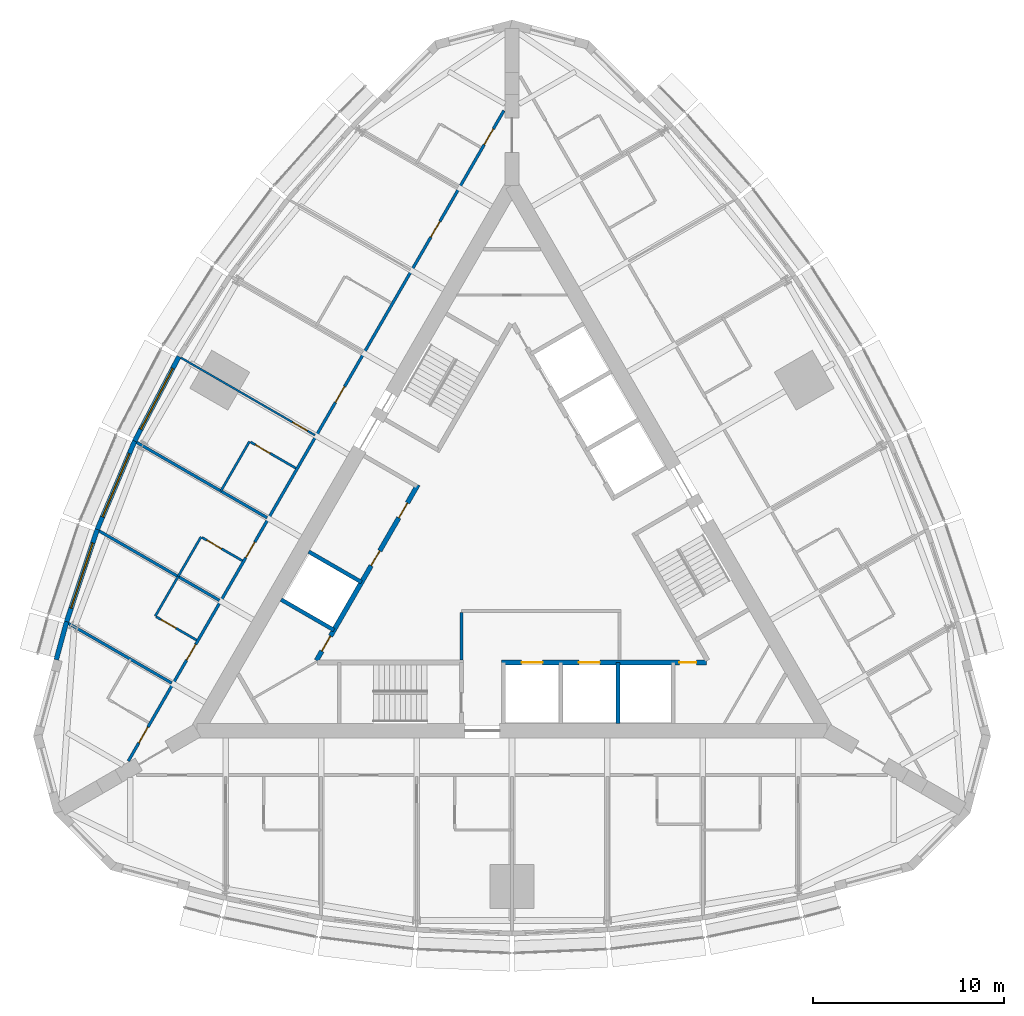
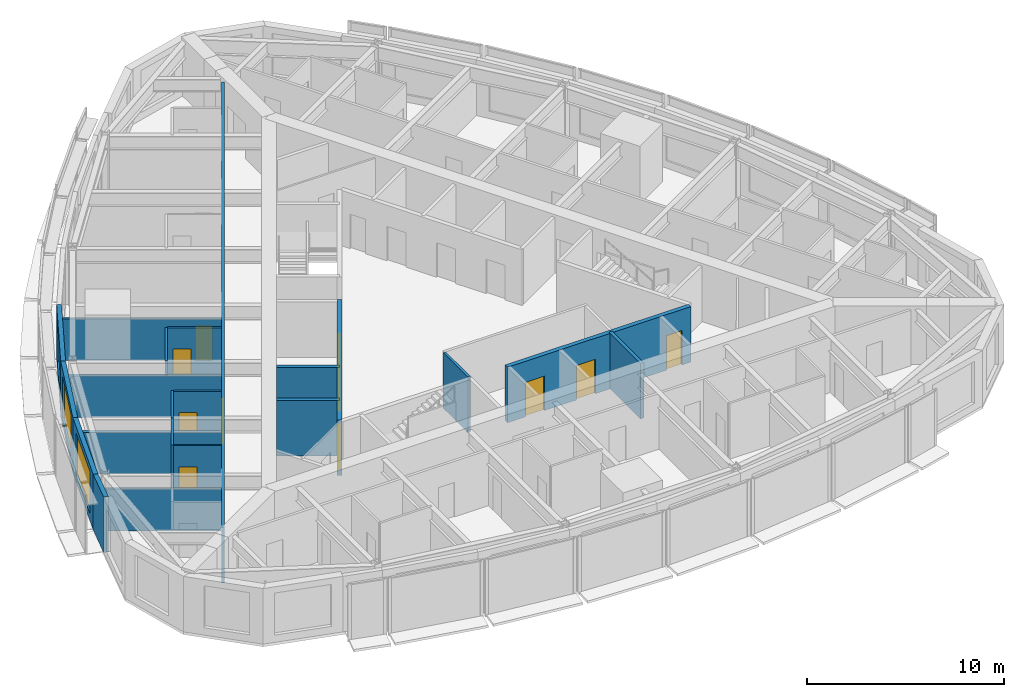
# One storey, part 10 of 15: 21 walls, 16 doors, 3 windows, 19 openings.
"""IFC4 building model written with IfcOpenShell, lengths in metres."""

from ifc_helpers import new_model, si_unit, direction, frame, frame_2d, origin, place, context, subcontext, project, spatial, rectangle, extrude, material, layer, layer_set, type_object, element, fill, save


model = new_model("IFC4")

# Units and contexts
model_context = context("Model", 3, precision=1e-05, world=origin(), true_north=direction((0.0, 1.0)))
body_context = subcontext(model_context, "Body", "Model", "MODEL_VIEW")
ifc_project = project(units=[si_unit("LENGTHUNIT", "METRE"), si_unit("AREAUNIT", "SQUARE_METRE"), si_unit("VOLUMEUNIT", "CUBIC_METRE"), si_unit("PLANEANGLEUNIT", "RADIAN"), si_unit("MASSUNIT", "GRAM", prefix="KILO")], contexts=[model_context])

# Site, building, storey
site_placement = place(None, origin())
site = spatial("IfcSite", under=ifc_project, at=site_placement, CompositionType="ELEMENT")
building_placement = place(site_placement, origin())
building = spatial("IfcBuilding", under=site, at=building_placement, Name="Trikona Tower", CompositionType="ELEMENT")
storey_placement = place(building_placement, frame((0.0, 0.0, 211.699951171875)))
storey = spatial("IfcBuildingStorey", under=building, at=storey_placement, Name="L56", CompositionType="ELEMENT", Elevation=211.699951171875)

# Wall
ifc_material_1 = material(Name="Metal stud and cement board", Category="gypsum")
ifc_layer_1 = layer(ifc_material_1, 0.1201171875)
ifc_layer_set_1 = layer_set([ifc_layer_1], Name="Bathroom wall 120")
wall_type_1 = type_object("IfcWallType", Name="Bathroom wall 120", PredefinedType="PLUMBINGWALL", material=ifc_layer_set_1)
wall_1_placement = place(storey_placement, frame((-13.75341796875, 5.631103515625, 0.0), z_axis=(0.0, 0.0, 1.0), x_axis=(-0.499990139034, -0.866031096941, 0.0)))
element("IfcWall", 1, at=wall_1_placement, inside=storey, type_object=wall_type_1, Name="Bathroom wall 5613.1", PredefinedType="PLUMBINGWALL", context=body_context, shape_type="SweptSolid", body=[
    extrude(rectangle(XDim=3.0, YDim=0.1201171875, at=frame_2d((1.5, 0.0))), origin(), (0.0, 0.0, 1.0), 3.43505859375),
])

# Wall, opening, door
wall_2_placement = place(storey_placement, frame((-11.32861328125, 4.231201171875, 0.0), z_axis=(0.0, 0.0, 1.0), x_axis=(-0.866035715982, 0.499982138324, 0.0)))
wall_2 = element("IfcWall", 2, at=wall_2_placement, inside=storey, type_object=wall_type_1, Name="Bathroom wall 5613.1", PredefinedType="PLUMBINGWALL", context=body_context, shape_type="SweptSolid", body=[
    extrude(rectangle(XDim=2.73974609375, YDim=0.1201171875, at=frame_2d((1.369873046875, 0.0))), origin(), (0.0, 0.0, 1.0), 3.43505859375),
])
opening_1_placement = place(wall_2_placement, frame((1.550048828125, 0.0, 0.0)))
opening_1 = element("IfcOpeningElement", 3, at=opening_1_placement, cuts=wall_2, Name="Opening D2", PredefinedType="OPENING", context=body_context, shape_type="SweptSolid", body=[
    extrude(rectangle(XDim=0.89990234375, YDim=2.1298828125, at=frame_2d((0.449951171875, 1.06494140625))), frame((0.0, 0.070068359375, 0.0), z_axis=(0.0, -1.0, 0.0), x_axis=(1.0, 0.0, 0.0)), (0.0, 0.0, 1.0), 0.14013671875),
])
ifc_material_2 = material(Name="Steel door frame with solid-core timber leaf", Category="steel")
door_type_1 = type_object("IfcDoorType", Name="Bathroom door 900x2130", OperationType="SLIDING_TO_LEFT", PredefinedType="DOOR", material=ifc_material_2)
door_1_placement = place(opening_1_placement, origin())
door_1 = element("IfcDoor", 4, at=door_1_placement, inside=storey, type_object=door_type_1, Name="Bathroom door 5613.1", OperationType="SLIDING_TO_LEFT", OverallHeight=2.1298828125, OverallWidth=0.89990234375, PredefinedType="DOOR", context=body_context, shape_type="SweptSolid", body=[
    extrude(rectangle(XDim=0.89990234375, YDim=2.1298828125, at=frame_2d((0.449951171875, 1.06494140625))), frame((0.0, 0.02490234375, 0.0), z_axis=(0.0, -1.0, 0.0), x_axis=(1.0, 0.0, 0.0)), (0.0, 0.0, 1.0), 0.050048828125),
])
fill(opening_1, door_1)

# Wall
wall_3_placement = place(storey_placement, frame((-16.29345703125, 0.63134765625, 0.0), z_axis=(0.0, 0.0, 1.0), x_axis=(-0.500001309137, -0.866024647952, 0.0)))
element("IfcWall", 5, at=wall_3_placement, inside=storey, type_object=wall_type_1, Name="Bathroom wall 5614", PredefinedType="PLUMBINGWALL", context=body_context, shape_type="SweptSolid", body=[
    extrude(rectangle(XDim=2.39990234375, YDim=0.1201171875, at=frame_2d((1.199951171875, 0.0))), origin(), (0.0, 0.0, 1.0), 3.43505859375),
])

# Wall, opening, door
wall_4_placement = place(storey_placement, frame((-14.12841796875, -0.61865234375, 0.0), z_axis=(0.0, 0.0, 1.0), x_axis=(-0.866048967903, 0.499959183527, 0.0)))
wall_4 = element("IfcWall", 6, at=wall_4_placement, inside=storey, type_object=wall_type_1, Name="Bathroom wall 5614", PredefinedType="PLUMBINGWALL", context=body_context, shape_type="SweptSolid", body=[
    extrude(rectangle(XDim=2.440185546875, YDim=0.1201171875, at=frame_2d((1.22021484375, 0.0))), origin(), (0.0, 0.0, 1.0), 3.43505859375),
])
opening_2_placement = place(wall_4_placement, frame((1.25, 0.0, 0.0)))
opening_2 = element("IfcOpeningElement", 7, at=opening_2_placement, cuts=wall_4, Name="Opening D2", PredefinedType="OPENING", context=body_context, shape_type="SweptSolid", body=[
    extrude(rectangle(XDim=0.89990234375, YDim=2.1298828125, at=frame_2d((0.449951171875, 1.06494140625))), frame((0.0, 0.070068359375, 0.0), z_axis=(0.0, -1.0, 0.0), x_axis=(1.0, 0.0, 0.0)), (0.0, 0.0, 1.0), 0.14013671875),
])
door_2_placement = place(opening_2_placement, origin())
door_2 = element("IfcDoor", 8, at=door_2_placement, inside=storey, type_object=door_type_1, Name="Bathroom door 5614", OperationType="SLIDING_TO_LEFT", OverallHeight=2.1298828125, OverallWidth=0.89990234375, PredefinedType="DOOR", context=body_context, shape_type="SweptSolid", body=[
    extrude(rectangle(XDim=0.89990234375, YDim=2.1298828125, at=frame_2d((0.449951171875, 1.06494140625))), frame((0.0, 0.02490234375, 0.0), z_axis=(0.0, -1.0, 0.0), x_axis=(1.0, 0.0, 0.0)), (0.0, 0.0, 1.0), 0.050048828125),
])
fill(opening_2, door_2)

# Wall
wall_5_placement = place(storey_placement, frame((-17.493408203125, -1.447021484375, 0.0), z_axis=(0.0, 0.0, 1.0), x_axis=(-0.500033551112, -0.866006032174, 0.0)))
element("IfcWall", 9, at=wall_5_placement, inside=storey, type_object=wall_type_1, Name="Bathroom wall 5615", PredefinedType="PLUMBINGWALL", context=body_context, shape_type="SweptSolid", body=[
    extrude(rectangle(XDim=2.400146484375, YDim=0.1201171875, at=frame_2d((1.2001953125, 0.0))), origin(), (0.0, 0.0, 1.0), 3.43505859375),
])

# Wall, opening, door
wall_6_placement = place(storey_placement, frame((-16.528564453125, -4.775634765625, 0.0), z_axis=(0.0, 0.0, 1.0), x_axis=(-0.866023955769, 0.500002508028, 0.0)))
wall_6 = element("IfcWall", 10, at=wall_6_placement, inside=storey, type_object=wall_type_1, Name="Bathroom wall 5615", PredefinedType="PLUMBINGWALL", context=body_context, shape_type="SweptSolid", body=[
    extrude(rectangle(XDim=2.43994140625, YDim=0.1201171875, at=frame_2d((1.219970703125, 0.0))), origin(), (0.0, 0.0, 1.0), 3.43505859375),
])
opening_3_placement = place(wall_6_placement, frame((1.25, 0.0, 0.0)))
opening_3 = element("IfcOpeningElement", 11, at=opening_3_placement, cuts=wall_6, Name="Opening D2", PredefinedType="OPENING", context=body_context, shape_type="SweptSolid", body=[
    extrude(rectangle(XDim=0.89990234375, YDim=2.1298828125, at=frame_2d((0.449951171875, 1.06494140625))), frame((0.0, 0.070068359375, 0.0), z_axis=(0.0, -1.0, 0.0), x_axis=(1.0, 0.0, 0.0)), (0.0, 0.0, 1.0), 0.14013671875),
])
door_3_placement = place(opening_3_placement, origin())
door_3 = element("IfcDoor", 12, at=door_3_placement, inside=storey, type_object=door_type_1, Name="Bathroom door 5615", OperationType="SLIDING_TO_LEFT", OverallHeight=2.1298828125, OverallWidth=0.89990234375, PredefinedType="DOOR", context=body_context, shape_type="SweptSolid", body=[
    extrude(rectangle(XDim=0.89990234375, YDim=2.1298828125, at=frame_2d((0.449951171875, 1.06494140625))), frame((0.0, 0.02490234375, 0.0), z_axis=(0.0, -1.0, 0.0), x_axis=(1.0, 0.0, 0.0)), (0.0, 0.0, 1.0), 0.050048828125),
])
fill(opening_3, door_3)

# Wall, openings, doors
ifc_material_3 = material(Name="Metal stud and gypsum board, 1-hour", Category="gypsum")
ifc_layer_2 = layer(ifc_material_3, 0.14990234375)
ifc_layer_set_2 = layer_set([ifc_layer_2], Name="Corridor wall 150")
wall_type_2 = type_object("IfcWallType", Name="Corridor wall 150", PredefinedType="PARTITIONING", material=ifc_layer_set_2)
wall_7_placement = place(storey_placement, frame((-0.425048828125, 22.96630859375, 0.0), z_axis=(0.0, 0.0, 1.0), x_axis=(-0.500000265775, -0.866025250339, 0.0)))
wall_7 = element("IfcWall", 13, at=wall_7_placement, inside=storey, type_object=wall_type_2, Name="Corridor wall L56-3", PredefinedType="PARTITIONING", context=body_context, shape_type="SweptSolid", body=[
    extrude(rectangle(XDim=39.35400390625, YDim=0.14990234375, at=frame_2d((19.677001953125, 0.0))), origin(), (0.0, 0.0, 1.0), 3.43505859375),
])
opening_4_placement = place(wall_7_placement, frame((1.10205078125, 0.0, 0.0)))
opening_4 = element("IfcOpeningElement", 14, at=opening_4_placement, cuts=wall_7, Name="Opening D1", PredefinedType="OPENING", context=body_context, shape_type="SweptSolid", body=[
    extrude(rectangle(XDim=0.949951171875, YDim=2.1298828125, at=frame_2d((0.47509765625, 1.06494140625))), frame((0.0, 0.0849609375, 0.0), z_axis=(0.0, -1.0, 0.0), x_axis=(1.0, 0.0, 0.0)), (0.0, 0.0, 1.0), 0.169921875),
])
opening_5_placement = place(wall_7_placement, frame((6.701904296875, 0.0, 0.0)))
opening_5 = element("IfcOpeningElement", 15, at=opening_5_placement, cuts=wall_7, Name="Opening D1", PredefinedType="OPENING", context=body_context, shape_type="SweptSolid", body=[
    extrude(rectangle(XDim=0.949951171875, YDim=2.1298828125, at=frame_2d((0.47509765625, 1.06494140625))), frame((0.0, 0.0849609375, 0.0), z_axis=(0.0, -1.0, 0.0), x_axis=(1.0, 0.0, 0.0)), (0.0, 0.0, 1.0), 0.169921875),
])
opening_6_placement = place(wall_7_placement, frame((16.701904296875, 0.0, 0.0)))
opening_6 = element("IfcOpeningElement", 16, at=opening_6_placement, cuts=wall_7, Name="Opening D1", PredefinedType="OPENING", context=body_context, shape_type="SweptSolid", body=[
    extrude(rectangle(XDim=0.949951171875, YDim=2.1298828125, at=frame_2d((0.47509765625, 1.06494140625))), frame((0.0, 0.0849609375, 0.0), z_axis=(0.0, -1.0, 0.0), x_axis=(1.0, 0.0, 0.0)), (0.0, 0.0, 1.0), 0.169921875),
])
opening_7_placement = place(wall_7_placement, frame((26.10205078125, 0.0, 0.0)))
opening_7 = element("IfcOpeningElement", 17, at=opening_7_placement, cuts=wall_7, Name="Opening D1", PredefinedType="OPENING", context=body_context, shape_type="SweptSolid", body=[
    extrude(rectangle(XDim=0.949951171875, YDim=2.1298828125, at=frame_2d((0.47509765625, 1.06494140625))), frame((0.0, 0.0849609375, 0.0), z_axis=(0.0, -1.0, 0.0), x_axis=(1.0, 0.0, 0.0)), (0.0, 0.0, 1.0), 0.169921875),
])
opening_8_placement = place(wall_7_placement, frame((32.302001953125, 0.0, 0.0)))
opening_8 = element("IfcOpeningElement", 18, at=opening_8_placement, cuts=wall_7, Name="Opening D1", PredefinedType="OPENING", context=body_context, shape_type="SweptSolid", body=[
    extrude(rectangle(XDim=0.949951171875, YDim=2.1298828125, at=frame_2d((0.47509765625, 1.06494140625))), frame((0.0, 0.0849609375, 0.0), z_axis=(0.0, -1.0, 0.0), x_axis=(1.0, 0.0, 0.0)), (0.0, 0.0, 1.0), 0.169921875),
])
opening_9_placement = place(wall_7_placement, frame((37.302001953125, 0.0, 0.0)))
opening_9 = element("IfcOpeningElement", 19, at=opening_9_placement, cuts=wall_7, Name="Opening D1", PredefinedType="OPENING", context=body_context, shape_type="SweptSolid", body=[
    extrude(rectangle(XDim=0.949951171875, YDim=2.1298828125, at=frame_2d((0.47509765625, 1.06494140625))), frame((0.0, 0.0849609375, 0.0), z_axis=(0.0, -1.0, 0.0), x_axis=(1.0, 0.0, 0.0)), (0.0, 0.0, 1.0), 0.169921875),
])
ifc_material_4 = material(Name="Steel door frame with solid-core timber leaf", Category="steel")
door_type_2 = type_object("IfcDoorType", Name="Guest room door 950x2130", OperationType="SINGLE_SWING_LEFT", PredefinedType="DOOR", material=ifc_material_4)
door_4_placement = place(opening_4_placement, origin())
door_4 = element("IfcDoor", 20, at=door_4_placement, inside=storey, type_object=door_type_2, Name="Room door 5611", OperationType="SINGLE_SWING_LEFT", OverallHeight=2.1298828125, OverallWidth=0.949951171875, PredefinedType="DOOR", context=body_context, shape_type="SweptSolid", body=[
    extrude(rectangle(XDim=0.949951171875, YDim=2.1298828125, at=frame_2d((0.47509765625, 1.06494140625))), frame((0.0, 0.02490234375, 0.0), z_axis=(0.0, -1.0, 0.0), x_axis=(1.0, 0.0, 0.0)), (0.0, 0.0, 1.0), 0.050048828125),
])
fill(opening_4, door_4)
door_5_placement = place(opening_5_placement, origin())
door_5 = element("IfcDoor", 21, at=door_5_placement, inside=storey, type_object=door_type_2, Name="Room door 5612", OperationType="SINGLE_SWING_RIGHT", OverallHeight=2.1298828125, OverallWidth=0.949951171875, PredefinedType="DOOR", context=body_context, shape_type="SweptSolid", body=[
    extrude(rectangle(XDim=0.949951171875, YDim=2.1298828125, at=frame_2d((0.47509765625, 1.06494140625))), frame((0.0, 0.02490234375, 0.0), z_axis=(0.0, -1.0, 0.0), x_axis=(1.0, 0.0, 0.0)), (0.0, 0.0, 1.0), 0.050048828125),
])
fill(opening_5, door_5)
door_6_placement = place(opening_6_placement, origin())
door_6 = element("IfcDoor", 22, at=door_6_placement, inside=storey, type_object=door_type_2, Name="Room door 5613", OperationType="SINGLE_SWING_LEFT", OverallHeight=2.1298828125, OverallWidth=0.949951171875, PredefinedType="DOOR", context=body_context, shape_type="SweptSolid", body=[
    extrude(rectangle(XDim=0.949951171875, YDim=2.1298828125, at=frame_2d((0.47509765625, 1.06494140625))), frame((0.0, 0.02490234375, 0.0), z_axis=(0.0, -1.0, 0.0), x_axis=(1.0, 0.0, 0.0)), (0.0, 0.0, 1.0), 0.050048828125),
])
fill(opening_6, door_6)
door_7_placement = place(opening_7_placement, origin())
door_7 = element("IfcDoor", 23, at=door_7_placement, inside=storey, type_object=door_type_2, Name="Room door 5614", OperationType="SINGLE_SWING_RIGHT", OverallHeight=2.1298828125, OverallWidth=0.949951171875, PredefinedType="DOOR", context=body_context, shape_type="SweptSolid", body=[
    extrude(rectangle(XDim=0.949951171875, YDim=2.1298828125, at=frame_2d((0.47509765625, 1.06494140625))), frame((0.0, 0.02490234375, 0.0), z_axis=(0.0, -1.0, 0.0), x_axis=(1.0, 0.0, 0.0)), (0.0, 0.0, 1.0), 0.050048828125),
])
fill(opening_7, door_7)
door_8_placement = place(opening_8_placement, origin())
door_8 = element("IfcDoor", 24, at=door_8_placement, inside=storey, type_object=door_type_2, Name="Room door 5615", OperationType="SINGLE_SWING_LEFT", OverallHeight=2.1298828125, OverallWidth=0.949951171875, PredefinedType="DOOR", context=body_context, shape_type="SweptSolid", body=[
    extrude(rectangle(XDim=0.949951171875, YDim=2.1298828125, at=frame_2d((0.47509765625, 1.06494140625))), frame((0.0, 0.02490234375, 0.0), z_axis=(0.0, -1.0, 0.0), x_axis=(1.0, 0.0, 0.0)), (0.0, 0.0, 1.0), 0.050048828125),
])
fill(opening_8, door_8)
door_9_placement = place(opening_9_placement, origin())
door_9 = element("IfcDoor", 25, at=door_9_placement, inside=storey, type_object=door_type_2, Name="Room door 5616", OperationType="SINGLE_SWING_RIGHT", OverallHeight=2.1298828125, OverallWidth=0.949951171875, PredefinedType="DOOR", context=body_context, shape_type="SweptSolid", body=[
    extrude(rectangle(XDim=0.949951171875, YDim=2.1298828125, at=frame_2d((0.47509765625, 1.06494140625))), frame((0.0, 0.02490234375, 0.0), z_axis=(0.0, -1.0, 0.0), x_axis=(1.0, 0.0, 0.0)), (0.0, 0.0, 1.0), 0.050048828125),
])
fill(opening_9, door_9)

ifc_material_5 = material(Name="Concrete f'c 8000 psi", Category="concrete")
ifc_layer_3 = layer(ifc_material_5, 0.25)
ifc_layer_set_3 = layer_set([ifc_layer_3], Name="Hub wall 250")
wall_type_3 = type_object("IfcWallType", Name="Hub wall 250", PredefinedType="SOLIDWALL", material=ifc_layer_set_3)
wall_8_placement = place(storey_placement, frame((-0.550048828125, -5.951416015625, 0.0), z_axis=(0.0, 0.0, 1.0), x_axis=(1.0, 0.0, 0.0)))
wall_8 = element("IfcWall", 26, at=wall_8_placement, inside=storey, type_object=wall_type_3, Name="Lift lobby wall A2", PredefinedType="SOLIDWALL", context=body_context, shape_type="SweptSolid", body=[
    extrude(rectangle(XDim=10.73291015625, YDim=0.25, at=frame_2d((5.366455078125, 0.0))), origin(), (0.0, 0.0, 1.0), 3.43505859375),
])
opening_10_placement = place(wall_8_placement, frame((9.31396484375, 0.0, 0.0)))
opening_10 = element("IfcOpeningElement", 27, at=opening_10_placement, cuts=wall_8, Name="Opening D14", PredefinedType="OPENING", context=body_context, shape_type="SweptSolid", body=[
    extrude(rectangle(XDim=0.89990234375, YDim=2.1298828125, at=frame_2d((0.449951171875, 1.06494140625))), frame((0.0, 0.135009765625, 0.0), z_axis=(0.0, -1.0, 0.0), x_axis=(1.0, 0.0, 0.0)), (0.0, 0.0, 1.0), 0.27001953125),
])
opening_11_placement = place(wall_8_placement, frame((1.050048828125, 0.0, 0.0)))
opening_11 = element("IfcOpeningElement", 28, at=opening_11_placement, cuts=wall_8, Name="Opening LD", PredefinedType="OPENING", context=body_context, shape_type="SweptSolid", body=[
    extrude(rectangle(XDim=1.10009765625, YDim=2.1298828125, at=frame_2d((0.550048828125, 1.06494140625))), frame((0.0, 0.135009765625, 0.0), z_axis=(0.0, -1.0, 0.0), x_axis=(1.0, 0.0, 0.0)), (0.0, 0.0, 1.0), 0.27001953125),
])
opening_12_placement = place(wall_8_placement, frame((4.050048828125, 0.0, 0.0)))
opening_12 = element("IfcOpeningElement", 29, at=opening_12_placement, cuts=wall_8, Name="Opening LD", PredefinedType="OPENING", context=body_context, shape_type="SweptSolid", body=[
    extrude(rectangle(XDim=1.10009765625, YDim=2.1298828125, at=frame_2d((0.550048828125, 1.06494140625))), frame((0.0, 0.135009765625, 0.0), z_axis=(0.0, -1.0, 0.0), x_axis=(1.0, 0.0, 0.0)), (0.0, 0.0, 1.0), 0.27001953125),
])
ifc_material_6 = material(Name="Stainless steel lift landing door", Category="steel")
door_type_3 = type_object("IfcDoorType", Name="Lift landing door 1100x2130", OperationType="DOUBLE_DOOR_SLIDING", PredefinedType="USERDEFINED", material=ifc_material_6)
door_10_placement = place(opening_11_placement, origin())
door_10 = element("IfcDoor", 30, at=door_10_placement, inside=storey, type_object=door_type_3, Name="Lift landing door FF1", ObjectType="LIFT LANDING DOOR", OperationType="DOUBLE_DOOR_SLIDING", OverallHeight=2.1298828125, OverallWidth=1.10009765625, PredefinedType="USERDEFINED", context=body_context, shape_type="SweptSolid", body=[
    extrude(rectangle(XDim=1.10009765625, YDim=2.1298828125, at=frame_2d((0.550048828125, 1.06494140625))), frame((0.0, 0.02490234375, 0.0), z_axis=(0.0, -1.0, 0.0), x_axis=(1.0, 0.0, 0.0)), (0.0, 0.0, 1.0), 0.050048828125),
])
fill(opening_11, door_10)
door_11_placement = place(opening_12_placement, origin())
door_11 = element("IfcDoor", 31, at=door_11_placement, inside=storey, type_object=door_type_3, Name="Lift landing door FF2", ObjectType="LIFT LANDING DOOR", OperationType="DOUBLE_DOOR_SLIDING", OverallHeight=2.1298828125, OverallWidth=1.10009765625, PredefinedType="USERDEFINED", context=body_context, shape_type="SweptSolid", body=[
    extrude(rectangle(XDim=1.10009765625, YDim=2.1298828125, at=frame_2d((0.550048828125, 1.06494140625))), frame((0.0, 0.02490234375, 0.0), z_axis=(0.0, -1.0, 0.0), x_axis=(1.0, 0.0, 0.0)), (0.0, 0.0, 1.0), 0.050048828125),
])
fill(opening_12, door_11)
ifc_material_7 = material(Name="Hollow metal door and frame", Category="steel")
door_type_4 = type_object("IfcDoorType", Name="Service room door 900x2130", OperationType="SINGLE_SWING_LEFT", PredefinedType="DOOR", material=ifc_material_7)
door_12_placement = place(opening_10_placement, origin())
door_12 = element("IfcDoor", 32, at=door_12_placement, inside=storey, type_object=door_type_4, Name="Door Housekeeping store HKS", OperationType="SINGLE_SWING_RIGHT", OverallHeight=2.1298828125, OverallWidth=0.89990234375, PredefinedType="DOOR", context=body_context, shape_type="SweptSolid", body=[
    extrude(rectangle(XDim=0.89990234375, YDim=2.1298828125, at=frame_2d((0.449951171875, 1.06494140625))), frame((0.0, 0.02490234375, 0.0), z_axis=(0.0, -1.0, 0.0), x_axis=(1.0, 0.0, 0.0)), (0.0, 0.0, 1.0), 0.050048828125),
])
fill(opening_10, door_12)

wall_9_placement = place(storey_placement, frame((-4.928955078125, 3.365478515625, 0.0), z_axis=(0.0, 0.0, 1.0), x_axis=(-0.499991433582, -0.866030349552, 0.0)))
wall_9 = element("IfcWall", 33, at=wall_9_placement, inside=storey, type_object=wall_type_3, Name="Lift lobby wall C2", PredefinedType="SOLIDWALL", context=body_context, shape_type="SweptSolid", body=[
    extrude(rectangle(XDim=10.633056640625, YDim=0.25, at=frame_2d((5.31640625, 0.0))), origin(), (0.0, 0.0, 1.0), 3.43505859375),
])
opening_13_placement = place(wall_9_placement, frame((9.1640625, 0.0, 0.0)))
opening_13 = element("IfcOpeningElement", 34, at=opening_13_placement, cuts=wall_9, Name="Opening D14", PredefinedType="OPENING", context=body_context, shape_type="SweptSolid", body=[
    extrude(rectangle(XDim=0.89990234375, YDim=2.1298828125, at=frame_2d((0.449951171875, 1.06494140625))), frame((0.0, 0.135009765625, 0.0), z_axis=(0.0, -1.0, 0.0), x_axis=(1.0, 0.0, 0.0)), (0.0, 0.0, 1.0), 0.27001953125),
])
opening_14_placement = place(wall_9_placement, frame((1.10009765625, 0.0, 0.0)))
opening_14 = element("IfcOpeningElement", 35, at=opening_14_placement, cuts=wall_9, Name="Opening D14", PredefinedType="OPENING", context=body_context, shape_type="SweptSolid", body=[
    extrude(rectangle(XDim=0.89990234375, YDim=2.1298828125, at=frame_2d((0.449951171875, 1.06494140625))), frame((0.0, 0.135009765625, 0.0), z_axis=(0.0, -1.0, 0.0), x_axis=(1.0, 0.0, 0.0)), (0.0, 0.0, 1.0), 0.27001953125),
])
opening_15_placement = place(wall_9_placement, frame((4.0, 0.0, 0.0)))
opening_15 = element("IfcOpeningElement", 36, at=opening_15_placement, cuts=wall_9, Name="Opening D14", PredefinedType="OPENING", context=body_context, shape_type="SweptSolid", body=[
    extrude(rectangle(XDim=0.89990234375, YDim=2.1298828125, at=frame_2d((0.449951171875, 1.06494140625))), frame((0.0, 0.135009765625, 0.0), z_axis=(0.0, -1.0, 0.0), x_axis=(1.0, 0.0, 0.0)), (0.0, 0.0, 1.0), 0.27001953125),
])
door_13_placement = place(opening_13_placement, origin())
door_13 = element("IfcDoor", 37, at=door_13_placement, inside=storey, type_object=door_type_4, Name="Door Ice and vending ICE", OperationType="SINGLE_SWING_RIGHT", OverallHeight=2.1298828125, OverallWidth=0.89990234375, PredefinedType="DOOR", context=body_context, shape_type="SweptSolid", body=[
    extrude(rectangle(XDim=0.89990234375, YDim=2.1298828125, at=frame_2d((0.449951171875, 1.06494140625))), frame((0.0, 0.02490234375, 0.0), z_axis=(0.0, -1.0, 0.0), x_axis=(1.0, 0.0, 0.0)), (0.0, 0.0, 1.0), 0.050048828125),
])
fill(opening_13, door_13)
door_14_placement = place(opening_14_placement, origin())
door_14 = element("IfcDoor", 38, at=door_14_placement, inside=storey, type_object=door_type_4, Name="Door Staff WC STW1", OperationType="SINGLE_SWING_LEFT", OverallHeight=2.1298828125, OverallWidth=0.89990234375, PredefinedType="DOOR", context=body_context, shape_type="SweptSolid", body=[
    extrude(rectangle(XDim=0.89990234375, YDim=2.1298828125, at=frame_2d((0.449951171875, 1.06494140625))), frame((0.0, 0.02490234375, 0.0), z_axis=(0.0, -1.0, 0.0), x_axis=(1.0, 0.0, 0.0)), (0.0, 0.0, 1.0), 0.050048828125),
])
fill(opening_14, door_14)
door_15_placement = place(opening_15_placement, origin())
door_15 = element("IfcDoor", 39, at=door_15_placement, inside=storey, type_object=door_type_4, Name="Door Staff WC STW1", OperationType="SINGLE_SWING_RIGHT", OverallHeight=2.1298828125, OverallWidth=0.89990234375, PredefinedType="DOOR", context=body_context, shape_type="SweptSolid", body=[
    extrude(rectangle(XDim=0.89990234375, YDim=2.1298828125, at=frame_2d((0.449951171875, 1.06494140625))), frame((0.0, 0.02490234375, 0.0), z_axis=(0.0, -1.0, 0.0), x_axis=(1.0, 0.0, 0.0)), (0.0, 0.0, 1.0), 0.050048828125),
])
fill(opening_15, door_15)

# Wall, opening, window
ifc_material_8 = material(Name="Insulated precast concrete spandrel panel", Category="concrete")
ifc_layer_4 = layer(ifc_material_8, 0.25)
ifc_layer_set_4 = layer_set([ifc_layer_4], Name="Inner skin wall 250")
wall_type_4 = type_object("IfcWallType", Name="Inner skin wall 250", PredefinedType="STANDARD", material=ifc_layer_set_4)
wall_10_placement = place(storey_placement, frame((-17.450439453125, 10.080810546875, 0.0), z_axis=(0.0, 0.0, 1.0), x_axis=(-0.463976002579, -0.885847768542, 0.0)))
wall_10 = element("IfcWall", 40, at=wall_10_placement, inside=storey, type_object=wall_type_4, Name="External wall L56-28", PredefinedType="STANDARD", context=body_context, shape_type="SweptSolid", body=[
    extrude(rectangle(XDim=5.004150390625, YDim=0.25, at=frame_2d((2.501953125, 0.0))), origin(), (0.0, 0.0, 1.0), 3.43505859375),
])
opening_16_placement = place(wall_10_placement, frame((0.7021484375, 0.0, 0.449951171875)))
opening_16 = element("IfcOpeningElement", 41, at=opening_16_placement, cuts=wall_10, Name="Opening W3626", PredefinedType="OPENING", context=body_context, shape_type="SweptSolid", body=[
    extrude(rectangle(XDim=3.60009765625, YDim=2.60009765625, at=frame_2d((1.800048828125, 1.300048828125))), frame((0.0, 0.135009765625, 0.0), z_axis=(0.0, -1.0, 0.0), x_axis=(1.0, 0.0, 0.0)), (0.0, 0.0, 1.0), 0.27001953125),
])
ifc_material_9 = material(Name="Aluminium-framed double glazing", Category="aluminium")
window_type = type_object("IfcWindowType", Name="Window 3600x2600", PartitioningType="SINGLE_PANEL", PredefinedType="WINDOW", material=ifc_material_9)
window_1_placement = place(opening_16_placement, origin())
window_1 = element("IfcWindow", 42, at=window_1_placement, inside=storey, type_object=window_type, Name="Window 5613.1", OverallHeight=2.60009765625, OverallWidth=3.60009765625, PartitioningType="SINGLE_PANEL", PredefinedType="WINDOW", context=body_context, shape_type="SweptSolid", body=[
    extrude(rectangle(XDim=3.60009765625, YDim=2.60009765625, at=frame_2d((1.800048828125, 1.300048828125))), frame((0.0, 0.030029296875, 0.0), z_axis=(0.0, -1.0, 0.0), x_axis=(1.0, 0.0, 0.0)), (0.0, 0.0, 1.0), 0.06005859375),
])
fill(opening_16, window_1)

wall_11_placement = place(storey_placement, frame((-19.767578125, 5.656982421875, 0.0), z_axis=(0.0, 0.0, 1.0), x_axis=(-0.390096809471, -0.920773848044, 0.0)))
wall_11 = element("IfcWall", 43, at=wall_11_placement, inside=storey, type_object=wall_type_4, Name="External wall L56-29", PredefinedType="STANDARD", context=body_context, shape_type="SweptSolid", body=[
    extrude(rectangle(XDim=5.0380859375, YDim=0.25, at=frame_2d((2.51904296875, 0.0))), origin(), (0.0, 0.0, 1.0), 3.43505859375),
])
opening_17_placement = place(wall_11_placement, frame((0.718994140625, 0.0, 0.449951171875)))
opening_17 = element("IfcOpeningElement", 44, at=opening_17_placement, cuts=wall_11, Name="Opening W3626", PredefinedType="OPENING", context=body_context, shape_type="SweptSolid", body=[
    extrude(rectangle(XDim=3.60009765625, YDim=2.60009765625, at=frame_2d((1.800048828125, 1.300048828125))), frame((0.0, 0.135009765625, 0.0), z_axis=(0.0, -1.0, 0.0), x_axis=(1.0, 0.0, 0.0)), (0.0, 0.0, 1.0), 0.27001953125),
])
window_2_placement = place(opening_17_placement, origin())
window_2 = element("IfcWindow", 45, at=window_2_placement, inside=storey, type_object=window_type, Name="Window 5614", OverallHeight=2.60009765625, OverallWidth=3.60009765625, PartitioningType="SINGLE_PANEL", PredefinedType="WINDOW", context=body_context, shape_type="SweptSolid", body=[
    extrude(rectangle(XDim=3.60009765625, YDim=2.60009765625, at=frame_2d((1.800048828125, 1.300048828125))), frame((0.0, 0.030029296875, 0.0), z_axis=(0.0, -1.0, 0.0), x_axis=(1.0, 0.0, 0.0)), (0.0, 0.0, 1.0), 0.06005859375),
])
fill(opening_17, window_2)

wall_12_placement = place(storey_placement, frame((-21.729248046875, 1.027587890625, 0.0), z_axis=(0.0, 0.0, 1.0), x_axis=(-0.315108478109, -0.949055660656, 0.0)))
wall_12 = element("IfcWall", 46, at=wall_12_placement, inside=storey, type_object=wall_type_4, Name="External wall L56-30", PredefinedType="STANDARD", context=body_context, shape_type="SweptSolid", body=[
    extrude(rectangle(XDim=5.10498046875, YDim=0.25, at=frame_2d((2.552490234375, 0.0))), origin(), (0.0, 0.0, 1.0), 3.43505859375),
])
opening_18_placement = place(wall_12_placement, frame((0.75244140625, 0.0, 0.449951171875)))
opening_18 = element("IfcOpeningElement", 47, at=opening_18_placement, cuts=wall_12, Name="Opening W3626", PredefinedType="OPENING", context=body_context, shape_type="SweptSolid", body=[
    extrude(rectangle(XDim=3.60009765625, YDim=2.60009765625, at=frame_2d((1.800048828125, 1.300048828125))), frame((0.0, 0.135009765625, 0.0), z_axis=(0.0, -1.0, 0.0), x_axis=(1.0, 0.0, 0.0)), (0.0, 0.0, 1.0), 0.27001953125),
])
window_3_placement = place(opening_18_placement, origin())
window_3 = element("IfcWindow", 48, at=window_3_placement, inside=storey, type_object=window_type, Name="Window 5615", OverallHeight=2.60009765625, OverallWidth=3.60009765625, PartitioningType="SINGLE_PANEL", PredefinedType="WINDOW", context=body_context, shape_type="SweptSolid", body=[
    extrude(rectangle(XDim=3.60009765625, YDim=2.60009765625, at=frame_2d((1.800048828125, 1.300048828125))), frame((0.0, 0.030029296875, 0.0), z_axis=(0.0, -1.0, 0.0), x_axis=(1.0, 0.0, 0.0)), (0.0, 0.0, 1.0), 0.06005859375),
])
fill(opening_18, window_3)

# Walls
wall_13_placement = place(storey_placement, frame((-23.335693359375, -3.810791015625, 0.0), z_axis=(0.0, 0.0, 1.0), x_axis=(-0.262867703986, -0.964831887015, 0.0)))
element("IfcWall", 49, at=wall_13_placement, inside=storey, type_object=wall_type_4, Name="External wall L56-31", PredefinedType="STANDARD", context=body_context, shape_type="SweptSolid", body=[
    extrude(rectangle(XDim=2.068359375, YDim=0.25, at=frame_2d((1.0341796875, 0.0))), origin(), (0.0, 0.0, 1.0), 3.43505859375),
])
ifc_material_10 = material(Name="Metal stud and gypsum board, 2-hour shaft wall", Category="gypsum")
ifc_layer_5 = layer(ifc_material_10, 0.14990234375)
ifc_layer_set_5 = layer_set([ifc_layer_5], Name="Lobby wall 150")
wall_type_5 = type_object("IfcWallType", Name="Lobby wall 150", PredefinedType="PARTITIONING", material=ifc_layer_set_5)
wall_14_placement = place(storey_placement, frame((-2.64990234375, -5.826416015625, 0.0), z_axis=(0.0, 0.0, 1.0), x_axis=(0.0, 1.0, 0.0)))
element("IfcWall", 50, at=wall_14_placement, inside=storey, type_object=wall_type_5, Name="Fire service lift lobby wall 2", PredefinedType="PARTITIONING", context=body_context, shape_type="SweptSolid", body=[
    extrude(rectangle(XDim=2.5, YDim=0.14990234375, at=frame_2d((1.25, 0.0))), origin(), (0.0, 0.0, 1.0), 3.43505859375),
])
ifc_material_11 = material(Name="Metal stud and gypsum board, 1-hour acoustic", Category="gypsum")
ifc_layer_6 = layer(ifc_material_11, 0.14990234375)
ifc_layer_set_6 = layer_set([ifc_layer_6], Name="Party wall 150")
wall_type_6 = type_object("IfcWallType", Name="Party wall 150", PredefinedType="PARTITIONING", material=ifc_layer_set_6)
wall_15_placement = place(storey_placement, frame((-12.82861328125, 1.633056640625, 0.0), z_axis=(0.0, 0.0, 1.0), x_axis=(-0.866030558329, 0.49999107196, 0.0)))
element("IfcWall", 51, at=wall_15_placement, inside=storey, type_object=wall_type_6, Name="Partition L56 F3 u5", PredefinedType="PARTITIONING", context=body_context, shape_type="SweptSolid", body=[
    extrude(rectangle(XDim=7.893798828125, YDim=0.14990234375, at=frame_2d((3.94677734375, 0.0))), origin(), (0.0, 0.0, 1.0), 2.58935546875),
])
wall_16_placement = place(storey_placement, frame((-15.32861328125, -2.697021484375, 0.0), z_axis=(0.0, 0.0, 1.0), x_axis=(-0.866032413668, 0.499987858329, 0.0)))
element("IfcWall", 52, at=wall_16_placement, inside=storey, type_object=wall_type_6, Name="Partition L56 F3 u10", PredefinedType="PARTITIONING", context=body_context, shape_type="SweptSolid", body=[
    extrude(rectangle(XDim=7.272705078125, YDim=0.14990234375, at=frame_2d((3.63623046875, 0.0))), origin(), (0.0, 0.0, 1.0), 2.58935546875),
])
wall_17_placement = place(storey_placement, frame((-17.82861328125, -7.027099609375, 0.0), z_axis=(0.0, 0.0, 1.0), x_axis=(-0.866026604282, 0.499997920671, 0.0)))
element("IfcWall", 53, at=wall_17_placement, inside=storey, type_object=wall_type_6, Name="Partition L56 F3 u15", PredefinedType="PARTITIONING", context=body_context, shape_type="SweptSolid", body=[
    extrude(rectangle(XDim=6.23974609375, YDim=0.14990234375, at=frame_2d((3.119873046875, 0.0))), origin(), (0.0, 0.0, 1.0), 2.58935546875),
])
ifc_material_12 = material(Name="Concrete f'c 8000 psi", Category="concrete")
ifc_layer_7 = layer(ifc_material_12, 0.199951171875)
ifc_layer_set_7 = layer_set([ifc_layer_7], Name="Shaft wall 200")
wall_type_7 = type_object("IfcWallType", Name="Shaft wall 200", PredefinedType="SOLIDWALL", material=ifc_layer_set_7)
for number, where, z_axis, x_axis, name in (
    (54, (5.550048828125, -5.951416015625, 0.0), (0.0, 0.0, 1.0), (0.0, -1.0, 0.0), "Shaft wall A5"),
    (55, (-7.87890625, -1.744140625, 0.0), (0.0, 0.0, 1.0), (-0.866042017984, 0.499971222258, 0.0), "Shaft wall C5"),
):
    element("IfcWall", number, at=place(storey_placement, frame(where, z_axis=z_axis, x_axis=x_axis)), inside=storey, type_object=wall_type_7, Name=name, PredefinedType="SOLIDWALL", context=body_context, shape_type="SweptSolid", body=[
        extrude(rectangle(XDim=3.199951171875, YDim=0.199951171875, at=frame_2d((1.60009765625, 0.0))), origin(), (0.0, 0.0, 1.0), 3.43505859375),
    ])
wall_18_placement = place(storey_placement, frame((-9.3291015625, -4.255615234375, 0.0), z_axis=(0.0, 0.0, 1.0), x_axis=(-0.866022944154, 0.50000426018, 0.0)))
element("IfcWall", 56, at=wall_18_placement, inside=storey, type_object=wall_type_7, Name="Shaft wall C6", PredefinedType="SOLIDWALL", context=body_context, shape_type="SweptSolid", body=[
    extrude(rectangle(XDim=3.19970703125, YDim=0.199951171875, at=frame_2d((1.599853515625, 0.0))), origin(), (0.0, 0.0, 1.0), 3.43505859375),
])

# Wall, opening, door
ifc_material_13 = material(Name="Metal stud and gypsum board, acoustic", Category="gypsum")
ifc_layer_8 = layer(ifc_material_13, 0.10009765625)
ifc_layer_set_8 = layer_set([ifc_layer_8], Name="Suite partition 100")
wall_type_8 = type_object("IfcWallType", Name="Suite partition 100", PredefinedType="PARTITIONING", material=ifc_layer_set_8)
wall_19_placement = place(storey_placement, frame((-10.32861328125, 5.963134765625, 0.0), z_axis=(0.0, 0.0, 1.0), x_axis=(-0.866016460812, 0.500015489362, 0.0)))
wall_19 = element("IfcWall", 57, at=wall_19_placement, inside=storey, type_object=wall_type_8, Name="Suite partition L56 F3 u0", PredefinedType="PARTITIONING", context=body_context, shape_type="SweptSolid", body=[
    extrude(rectangle(XDim=8.101318359375, YDim=0.10009765625, at=frame_2d((4.05078125, 0.0))), origin(), (0.0, 0.0, 1.0), 2.58935546875),
])
opening_19_placement = place(wall_19_placement, frame((0.449951171875, 0.0, 0.0)))
opening_19 = element("IfcOpeningElement", 58, at=opening_19_placement, cuts=wall_19, Name="Opening D13", PredefinedType="OPENING", context=body_context, shape_type="SweptSolid", body=[
    extrude(rectangle(XDim=0.89990234375, YDim=2.1298828125, at=frame_2d((0.449951171875, 1.06494140625))), frame((0.0, 0.06005859375, 0.0), z_axis=(0.0, -1.0, 0.0), x_axis=(1.0, 0.0, 0.0)), (0.0, 0.0, 1.0), 0.1201171875),
])
ifc_material_14 = material(Name="Steel door frame with solid-core timber leaf", Category="steel")
door_type_5 = type_object("IfcDoorType", Name="Suite door 900x2130", OperationType="SINGLE_SWING_LEFT", PredefinedType="DOOR", material=ifc_material_14)
door_16_placement = place(opening_19_placement, origin())
door_16 = element("IfcDoor", 59, at=door_16_placement, inside=storey, type_object=door_type_5, Name="Suite door 5613", OperationType="SINGLE_SWING_LEFT", OverallHeight=2.1298828125, OverallWidth=0.89990234375, PredefinedType="DOOR", context=body_context, shape_type="SweptSolid", body=[
    extrude(rectangle(XDim=0.89990234375, YDim=2.1298828125, at=frame_2d((0.449951171875, 1.06494140625))), frame((0.0, 0.02490234375, 0.0), z_axis=(0.0, -1.0, 0.0), x_axis=(1.0, 0.0, 0.0)), (0.0, 0.0, 1.0), 0.050048828125),
])
fill(opening_19, door_16)

save(model, "model.ifc")
